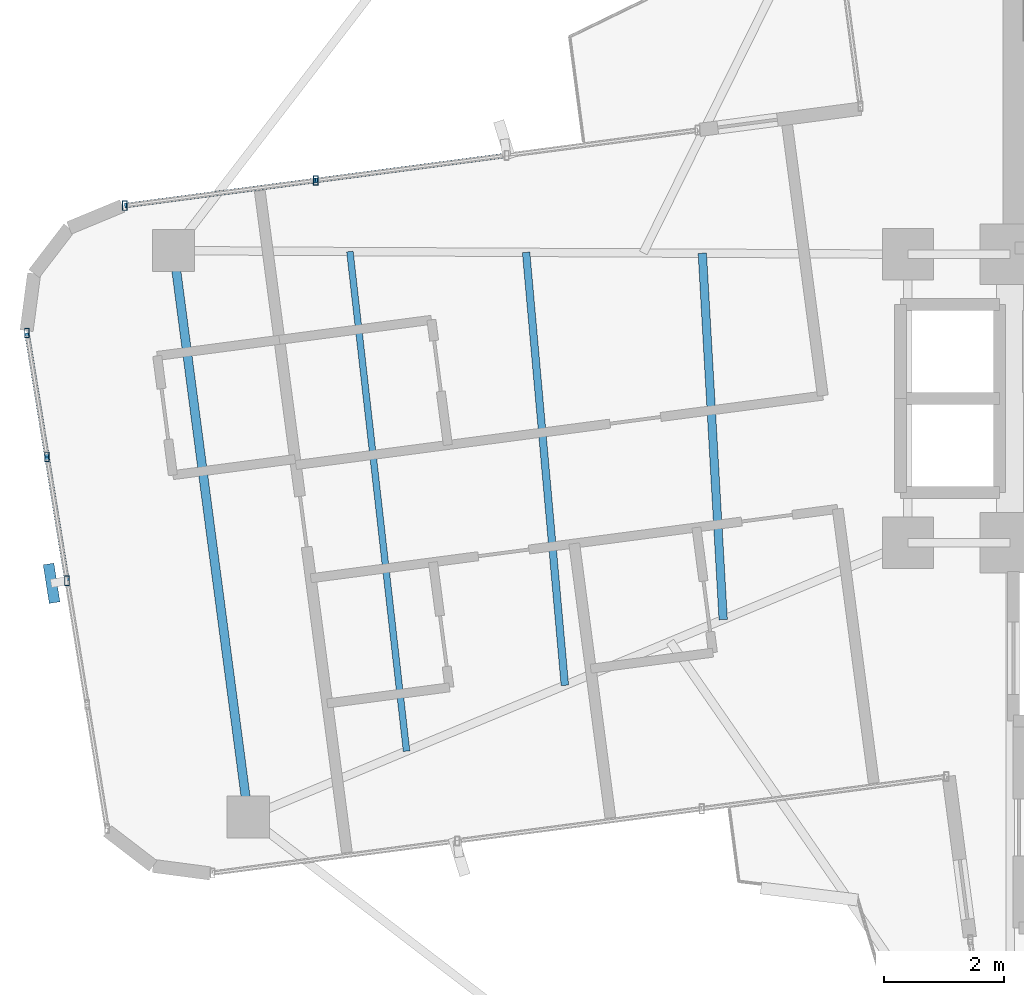
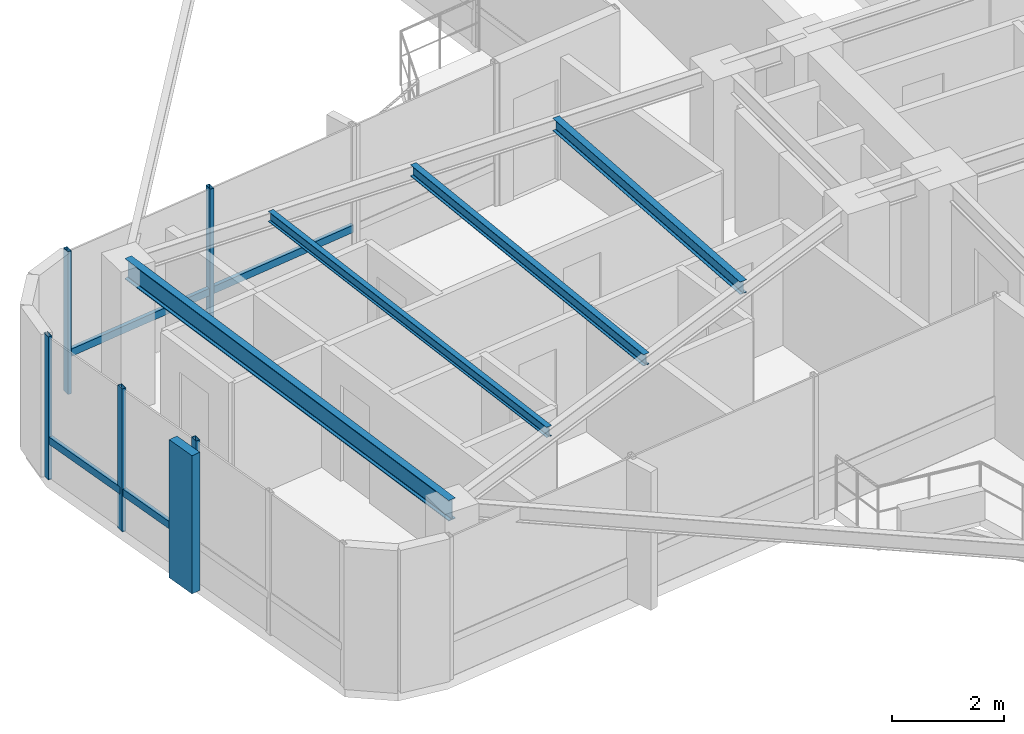
# One storey, part 7 of 22: 10 members, 4 beams, 2 elements without a shape of their own.
"""IFC4 building model written with IfcOpenShell, lengths in metres."""

import ifcopenshell
import ifcopenshell.guid

model = None  # the IFC model being written
_history = None  # IfcOwnerHistory: only IFC2X3 demands one
_inside = {}  # id of a spatial element -> (the spatial element, [elements in it])
_under = {}  # id of a project, library or spatial element -> (it, [spatial elements below it])
_declared = {}  # id of a project -> (the project, [libraries it declares])
_typed = {}  # id of a type object -> (the type object, [elements of that type])
_made_of = {}  # id of a material, layer set ... -> (it, [elements and type objects made of it])


def new_model(schema):
    """Start an empty IFC model of exactly this schema.

    Asked for "IFC4X3", IfcOpenShell would pick the latest addendum, in which some entities
    have other attributes; the version numbers below select the first issue.
    IFC2X3 requires an IfcOwnerHistory on every rooted entity: one is made here for all.
    """
    global model, _history
    if schema == "IFC4X3":
        model = ifcopenshell.file(schema_version=(4, 3, 0, 0))
    else:
        model = ifcopenshell.file(schema=schema)
    _inside.clear()
    _under.clear()
    _declared.clear()
    _typed.clear()
    _made_of.clear()
    _history = None
    if model.schema == "IFC2X3":
        org = make("IfcOrganization", Name="unknown")
        user = make(
            "IfcPersonAndOrganization",
            ThePerson=make("IfcPerson", FamilyName="unknown"),
            TheOrganization=org,
        )
        app = make(
            "IfcApplication",
            ApplicationDeveloper=org,
            Version="unknown",
            ApplicationFullName="unknown",
            ApplicationIdentifier="unknown",
        )
        _history = make(
            "IfcOwnerHistory",
            OwningUser=user,
            OwningApplication=app,
            ChangeAction="ADDED",
            CreationDate=0,
        )
    return model


def make(cls, **values):
    """One entity of the class cls with the attributes given. An attribute that is None is left unset."""
    return model.create_entity(
        cls, **{name: value for name, value in values.items() if value is not None}
    )


def rooted(cls, **values):
    """An entity with a GlobalId (a new one), such as an element, a storey or a relation."""
    return make(cls, GlobalId=ifcopenshell.guid.new(), OwnerHistory=_history, **values)


def si_unit(unit_type, name, prefix=None):
    """IfcSIUnit, for example si_unit("LENGTHUNIT", "METRE", prefix="MILLI")."""
    return make("IfcSIUnit", UnitType=unit_type, Prefix=prefix, Name=name)


def assignment(units):
    """IfcUnitAssignment: the units of a project."""
    return None if units is None else make("IfcUnitAssignment", Units=units)


def point(xyz):
    """IfcCartesianPoint."""
    return None if xyz is None else make("IfcCartesianPoint", Coordinates=xyz)


def direction(xyz):
    """IfcDirection."""
    return None if xyz is None else make("IfcDirection", DirectionRatios=xyz)


def frame(location, z_axis=None, x_axis=None):
    """IfcAxis2Placement3D, a coordinate frame: its origin and axes. An axis left out is left unset."""
    return make(
        "IfcAxis2Placement3D",
        Location=point(location),
        Axis=direction(z_axis),
        RefDirection=direction(x_axis),
    )


def frame_2d(location, x_axis=None):
    """IfcAxis2Placement2D, a coordinate frame in the plane: its origin and x axis."""
    return make(
        "IfcAxis2Placement2D", Location=point(location), RefDirection=direction(x_axis)
    )


def origin():
    """The frame at (0, 0, 0) with its axes left unset."""
    return frame((0.0, 0.0, 0.0))


def origin_2d():
    """The frame at (0, 0) in the plane with its x axis left unset."""
    return frame_2d((0.0, 0.0))


def place(relative_to, where):
    """IfcLocalPlacement: puts the frame where relative to a parent placement (None: the world)."""
    return make(
        "IfcLocalPlacement", PlacementRelTo=relative_to, RelativePlacement=where
    )


def context(
    kind, dimensions, precision=None, world=None, true_north=None, identifier=None
):
    """IfcGeometricRepresentationContext, for example the 3D "Model" context."""
    return make(
        "IfcGeometricRepresentationContext",
        ContextIdentifier=identifier,
        ContextType=kind,
        CoordinateSpaceDimension=dimensions,
        Precision=precision,
        WorldCoordinateSystem=world,
        TrueNorth=true_north,
    )


def subcontext(parent, identifier, kind, view, scale=None):
    """IfcGeometricRepresentationSubContext, for example "Body" below "Model"."""
    return make(
        "IfcGeometricRepresentationSubContext",
        ContextIdentifier=identifier,
        ContextType=kind,
        ParentContext=parent,
        TargetScale=scale,
        TargetView=view,
    )


def project(units=None, contexts=None):
    """IfcProject with its units and contexts."""
    return rooted(
        "IfcProject",
        Name="project",
        RepresentationContexts=contexts,
        UnitsInContext=assignment(units),
    )


def spatial(cls, under=None, at=None, **own):
    """A site, building, storey or space (cls), placed at a placement, below another one or the project."""
    s = rooted(cls, ObjectPlacement=at, **own)
    if under is not None:
        _under.setdefault(under.id(), (under, []))[1].append(s)
    return s


def profile(cls, at=None, kind="AREA", **sizes):
    """A parametric profile (cls). Its sizes go by their IFC names, for example OverallWidth=200.0."""
    return make(cls, ProfileType=kind, Position=at, **sizes)


def rectangle(**sizes):
    """IfcRectangleProfileDef."""
    return profile("IfcRectangleProfileDef", **sizes)


def hollow_rectangle(**sizes):
    """IfcRectangleHollowProfileDef."""
    return profile("IfcRectangleHollowProfileDef", **sizes)


def i_section(**sizes):
    """IfcIShapeProfileDef."""
    return profile("IfcIShapeProfileDef", **sizes)


def extrude(swept, where, along, depth):
    """IfcExtrudedAreaSolid: the profile swept, set in the frame where, extruded along a direction by depth."""
    return make(
        "IfcExtrudedAreaSolid",
        SweptArea=swept,
        Position=where,
        ExtrudedDirection=direction(along),
        Depth=depth,
    )


def shape(context_of_items, identifier, shape_type, items):
    """IfcShapeRepresentation: the items that make up one representation, for example the "Body"."""
    return make(
        "IfcShapeRepresentation",
        ContextOfItems=context_of_items,
        RepresentationIdentifier=identifier,
        RepresentationType=shape_type,
        Items=items,
    )


def source(mapping_origin, context_of_items, identifier, shape_type, items):
    """IfcRepresentationMap: a shape defined once, which mapped items show again and again."""
    return make(
        "IfcRepresentationMap",
        MappingOrigin=mapping_origin,
        MappedRepresentation=shape(context_of_items, identifier, shape_type, items),
    )


def transform(
    local_origin,
    x_axis=None,
    y_axis=None,
    z_axis=None,
    scale=None,
    scale2=None,
    scale3=None,
    uniform=True,
):
    """IfcCartesianTransformationOperator3D, or its non-uniform kind. x_axis, y_axis, z_axis: its Axis1, 2, 3."""
    if uniform:
        return make(
            "IfcCartesianTransformationOperator3D",
            Axis1=direction(x_axis),
            Axis2=direction(y_axis),
            LocalOrigin=point(local_origin),
            Scale=scale,
            Axis3=direction(z_axis),
        )
    return make(
        "IfcCartesianTransformationOperator3DnonUniform",
        Axis1=direction(x_axis),
        Axis2=direction(y_axis),
        LocalOrigin=point(local_origin),
        Scale=scale,
        Axis3=direction(z_axis),
        Scale2=scale2,
        Scale3=scale3,
    )


def mapped(mapping_source, mapping_target):
    """IfcMappedItem: shows the shape of a source again, moved by a transform."""
    return make(
        "IfcMappedItem", MappingSource=mapping_source, MappingTarget=mapping_target
    )


def material(Name=None, Category=None):
    """IfcMaterial."""
    return make("IfcMaterial", Name=Name, Category=Category)


def material_profile(
    of_material, cross_section, Name=None, Category=None, Priority=None
):
    """IfcMaterialProfile: a cross section and its material."""
    return make(
        "IfcMaterialProfile",
        Name=Name,
        Material=of_material,
        Profile=cross_section,
        Priority=Priority,
        Category=Category,
    )


def profile_set(profiles, Name=None, composite=None):
    """IfcMaterialProfileSet."""
    return make(
        "IfcMaterialProfileSet",
        Name=Name,
        MaterialProfiles=profiles,
        CompositeProfile=composite,
    )


def made_of(thing, what):
    """Note that an element or type object is made of a material, layer set ...; save() writes the relation."""
    if what is not None:
        _made_of.setdefault(what.id(), (what, []))[1].append(thing)
    return thing


def type_object(cls, material=None, **own):
    """A type object (cls), such as IfcWallType, which elements share."""
    return made_of(rooted(cls, **own), material)


def element(
    cls,
    number,
    at=None,
    inside=None,
    cuts=None,
    type_object=None,
    material=None,
    context=None,
    identifier="Body",
    shape_type=None,
    held_by="IfcProductDefinitionShape",
    body=None,
    shapes=None,
    **own,
):
    """One element of the class cls, such as IfcWall. Its Tag is "e" and its number.

    at: its placement. inside: the storey or other place that contains it. cuts: it is an
    opening in that element (IfcRelVoidsElement). A single representation is given by context,
    identifier, shape_type and body (its items); several are given by shapes. held_by: the class
    of the entity that holds the representations. save() writes the other relations.
    """
    e = rooted(cls, Tag="e%d" % number, ObjectPlacement=at, **own)
    if body is not None:
        shapes = [shape(context, identifier, shape_type, body)]
    if shapes is not None:
        e.Representation = make(held_by, Representations=shapes)
    if inside is not None:
        _inside.setdefault(inside.id(), (inside, []))[1].append(e)
    if cuts is not None:
        rooted(
            "IfcRelVoidsElement", RelatingBuildingElement=cuts, RelatedOpeningElement=e
        )
    if type_object is not None:
        _typed.setdefault(type_object.id(), (type_object, []))[1].append(e)
    return made_of(e, material)


def aggregate(whole, parts):
    """IfcRelAggregates: a whole, such as a stair, and the parts it consists of."""
    return rooted("IfcRelAggregates", RelatingObject=whole, RelatedObjects=parts)


def save(model, path):
    """Write the relations noted so far, then the file.

    IfcRelAggregates (storeys below a building ...), IfcRelContainedInSpatialStructure (elements
    in a storey), IfcRelDefinesByType, IfcRelAssociatesMaterial and IfcRelDeclares: one each for
    every whole, place, type object, material and project.
    """
    for whole, parts in _under.values():
        aggregate(whole, parts)
    for where, things in _inside.values():
        rooted(
            "IfcRelContainedInSpatialStructure",
            RelatedElements=things,
            RelatingStructure=where,
        )
    for kind, things in _typed.values():
        rooted("IfcRelDefinesByType", RelatedObjects=things, RelatingType=kind)
    for what, things in _made_of.values():
        rooted("IfcRelAssociatesMaterial", RelatedObjects=things, RelatingMaterial=what)
    for by, libraries in _declared.values():
        rooted("IfcRelDeclares", RelatingContext=by, RelatedDefinitions=libraries)
    model.write(path)


model = new_model("IFC4")

# Units and contexts
model_context = context("Model", 3, precision=1e-05, world=origin(), true_north=direction((0.0, 1.0)))
body_context = subcontext(model_context, "Body", "Model", "MODEL_VIEW")
ifc_project = project(units=[si_unit("LENGTHUNIT", "METRE"), si_unit("AREAUNIT", "SQUARE_METRE"), si_unit("VOLUMEUNIT", "CUBIC_METRE"), si_unit("PLANEANGLEUNIT", "RADIAN"), si_unit("MASSUNIT", "GRAM", prefix="KILO")], contexts=[model_context])

# Site, building, storey
site_placement = place(None, origin())
site = spatial("IfcSite", under=ifc_project, at=site_placement, CompositionType="ELEMENT")
building_placement = place(site_placement, origin())
building = spatial("IfcBuilding", under=site, at=building_placement, Name="Sahyath Konkavel Grand Hotel", CompositionType="ELEMENT")
storey_placement = place(building_placement, frame((0.0, 0.0, 257.89990234375)))
storey = spatial("IfcBuildingStorey", under=building, at=storey_placement, Name="L72", CompositionType="ELEMENT", Elevation=257.89990234375)

# Beams
ifc_material_1 = material(Name="Steel E350", Category="steel")
ifc_material_profile_1 = material_profile(ifc_material_1, i_section(OverallWidth=0.14990234375, OverallDepth=0.449951171875, WebThickness=0.009521484375, FlangeThickness=0.017333984375, FilletRadius=0.014892578125, at=origin_2d()), Name="ISMB 450")
ifc_profile_set_1 = profile_set([ifc_material_profile_1], Name="Steel E350")
beam_type_1 = type_object("IfcBeamType", Name="BM-ISMB450", PredefinedType="BEAM", material=ifc_profile_set_1)
shared_shape_1 = source(origin(), body_context, "Body", "SweptSolid", [
    extrude(i_section(OverallWidth=0.14990234375, OverallDepth=0.449951171875, WebThickness=0.009521484375, FlangeThickness=0.017333984375, FilletRadius=0.014892578125, at=origin_2d()), origin(), (0.0, 0.0, 1.0), 9.5),
])
beam_1_placement = place(storey_placement, frame((-17.71240234375, 2.458984375, 2.885009765625), z_axis=(0.130525643939, -0.991444933556, 0.0), x_axis=(0.991444933556, 0.130525643939, 0.0)))
element("IfcBeam", 1, at=beam_1_placement, inside=storey, type_object=beam_type_1, Name="L72 Wing Tip Edge Beam W", PredefinedType="BEAM", context=body_context, shape_type="MappedRepresentation", body=[
    mapped(shared_shape_1, transform((0.0, 0.0, 0.0), scale=1.0)),
])
ifc_material_profile_2 = material_profile(ifc_material_1, i_section(OverallWidth=0.139892578125, OverallDepth=0.27490234375, WebThickness=0.00634765625, FlangeThickness=0.0087890625, FilletRadius=0.012939453125, at=origin_2d()), Name="ISLB 275")
ifc_profile_set_2 = profile_set([ifc_material_profile_2], Name="Steel E350")
beam_type_2 = type_object("IfcBeamType", Name="BM-ISLB275", PredefinedType="BEAM", material=ifc_profile_set_2)
shared_shape_2 = source(origin(), body_context, "Body", "SweptSolid", [
    extrude(i_section(OverallWidth=0.139892578125, OverallDepth=0.27490234375, WebThickness=0.00634765625, FlangeThickness=0.0087890625, FilletRadius=0.012939453125, at=origin_2d()), origin(), (0.0, 0.0, 1.0), 6.10302734375),
])
beam_2_placement = place(storey_placement, frame((-8.91943359375, 2.41650390625, 2.97265625), z_axis=(0.056883465537, -0.99838082481, 0.0), x_axis=(0.99838082481, 0.056883465537, 0.0)))
element("IfcBeam", 2, at=beam_2_placement, inside=storey, type_object=beam_type_2, Name="L72 Secondary Floor Beam W-1", PredefinedType="BEAM", context=body_context, shape_type="MappedRepresentation", body=[
    mapped(shared_shape_2, transform((0.0, 0.0, 0.0), scale=1.0)),
])
ifc_material_profile_3 = material_profile(ifc_material_1, i_section(OverallWidth=0.125, OverallDepth=0.25, WebThickness=0.0068359375, FlangeThickness=0.012451171875, FilletRadius=0.012939453125, at=origin_2d()), Name="ISMB 250")
ifc_profile_set_3 = profile_set([ifc_material_profile_3], Name="Steel E350")
beam_type_3 = type_object("IfcBeamType", Name="BM-ISMB250", PredefinedType="BEAM", material=ifc_profile_set_3)
shared_shape_3 = source(origin(), body_context, "Body", "SweptSolid", [
    extrude(i_section(OverallWidth=0.125, OverallDepth=0.25, WebThickness=0.0068359375, FlangeThickness=0.012451171875, FilletRadius=0.012939453125, at=origin_2d()), origin(), (0.0, 0.0, 1.0), 7.23046875),
])
beam_3_placement = place(storey_placement, frame((-11.8505859375, 2.4306640625, 2.985107421875), z_axis=(0.089174799421, -0.996015991412, 0.0), x_axis=(0.996015991412, 0.089174799421, 0.0)))
element("IfcBeam", 3, at=beam_3_placement, inside=storey, type_object=beam_type_3, Name="L72 Secondary Floor Beam W-2", PredefinedType="BEAM", context=body_context, shape_type="MappedRepresentation", body=[
    mapped(shared_shape_3, transform((0.0, 0.0, 0.0), scale=1.0)),
])
ifc_material_profile_4 = material_profile(ifc_material_1, i_section(OverallWidth=0.110107421875, OverallDepth=0.22509765625, WebThickness=0.006591796875, FlangeThickness=0.01171875, FilletRadius=0.011962890625, at=origin_2d()), Name="ISMB 225")
ifc_profile_set_4 = profile_set([ifc_material_profile_4], Name="Steel E350")
beam_type_4 = type_object("IfcBeamType", Name="BM-ISMB225", PredefinedType="BEAM", material=ifc_profile_set_4)
shared_shape_4 = source(origin(), body_context, "Body", "SweptSolid", [
    extrude(i_section(OverallWidth=0.110107421875, OverallDepth=0.22509765625, WebThickness=0.006591796875, FlangeThickness=0.01171875, FilletRadius=0.011962890625, at=origin_2d()), origin(), (0.0, 0.0, 1.0), 8.36328125),
])
beam_4_placement = place(storey_placement, frame((-14.781494140625, 2.44482421875, 2.99755859375), z_axis=(0.112680437677, -0.99363127918, 0.0), x_axis=(0.99363127918, 0.112680437677, 0.0)))
element("IfcBeam", 4, at=beam_4_placement, inside=storey, type_object=beam_type_4, Name="L72 Secondary Floor Beam W-3", PredefinedType="BEAM", context=body_context, shape_type="MappedRepresentation", body=[
    mapped(shared_shape_4, transform((0.0, 0.0, 0.0), scale=1.0)),
])

# Curtain wall, member
ifc_material_2 = material(Name="Anodised Bronze Aluminium & Low-E Glazing", Category="aluminium")
curtain_wall_type = type_object("IfcCurtainWallType", Name="CW-ZONE4", PredefinedType="NOTDEFINED", material=ifc_material_2)
curtain_wall_1_placement = place(storey_placement, origin())
curtain_wall_1 = element("IfcCurtainWall", 5, at=curtain_wall_1_placement, inside=storey, type_object=curtain_wall_type, Name="L72 Unitised Curtain Wall F20", PredefinedType="NOTDEFINED")
ifc_material_3 = material(Name="Warm Buff Sandstone Cladding on Concrete C50/60", Category="masonry")
ifc_material_profile_5 = material_profile(ifc_material_3, rectangle(XDim=0.179931640625, YDim=0.64990234375, at=origin_2d()), Name="FIN 180x650")
ifc_profile_set_5 = profile_set([ifc_material_profile_5], Name="Warm Buff Sandstone Cladding on Concrete C50/60")
member_type_1 = type_object("IfcMemberType", Name="FIN-SANDSTONE-650", PredefinedType="MULLION", material=ifc_profile_set_5)
shared_shape_5 = source(origin(), body_context, "Body", "SweptSolid", [
    extrude(rectangle(XDim=0.179931640625, YDim=0.64990234375, at=origin_2d()), origin(), (0.0, 0.0, 1.0), 3.010009765625),
])
member_1_placement = place(storey_placement, frame((-19.74365234375, -3.073486328125, 0.050048828125), z_axis=(0.0, 0.0, 1.0), x_axis=(0.987905801468, 0.155055239918, 0.0)))
member_1 = element("IfcMember", 6, at=member_1_placement, type_object=member_type_1, Name="L72 Sandstone Vertical Solar Fin FIN F20-2", PredefinedType="MULLION", context=body_context, shape_type="MappedRepresentation", body=[
    mapped(shared_shape_5, transform((0.0, 0.0, 0.0), scale=1.0)),
])

# Curtain wall, members
curtain_wall_2_placement = place(storey_placement, origin())
curtain_wall_2 = element("IfcCurtainWall", 7, at=curtain_wall_2_placement, inside=storey, type_object=curtain_wall_type, Name="L72 Unitised Curtain Wall F16", PredefinedType="NOTDEFINED")
ifc_material_4 = material(Name="Anodised Bronze Aluminium", Category="aluminium")
ifc_material_profile_6 = material_profile(ifc_material_4, hollow_rectangle(XDim=0.080078125, YDim=0.159912109375, WallThickness=0.006103515625, at=origin_2d()), Name="RHS 160x80x6")
ifc_profile_set_6 = profile_set([ifc_material_profile_6], Name="Anodised Bronze Aluminium")
member_type_2 = type_object("IfcMemberType", Name="CW-MUL-160", PredefinedType="MULLION", material=ifc_profile_set_6)
shared_shape_6 = source(origin(), body_context, "Body", "SweptSolid", [
    extrude(hollow_rectangle(XDim=0.080078125, YDim=0.159912109375, WallThickness=0.006103515625, at=origin_2d()), origin(), (0.0, 0.0, 1.0), 3.110107421875),
])
member_2_placement = place(storey_placement, frame((-15.351318359375, 3.627197265625, 0.0), z_axis=(0.0, 0.0, 1.0), x_axis=(1.0, 0.0, 0.0)))
member_2 = element("IfcMember", 8, at=member_2_placement, type_object=member_type_2, Name="L72 Curtain Wall Mullion F16-2", PredefinedType="MULLION", context=body_context, shape_type="MappedRepresentation", body=[
    mapped(shared_shape_6, transform((0.0, 0.0, 0.0), scale=1.0)),
])
member_3_placement = place(storey_placement, frame((-18.52734375, 3.208984375, 0.0), z_axis=(0.0, 0.0, 1.0), x_axis=(1.0, 0.0, 0.0)))
member_3 = element("IfcMember", 9, at=member_3_placement, type_object=member_type_2, Name="L72 Curtain Wall Mullion F16-3", PredefinedType="MULLION", context=body_context, shape_type="MappedRepresentation", body=[
    mapped(shared_shape_6, transform((0.0, 0.0, 0.0), scale=1.0)),
])

# Member
member_4_placement = place(storey_placement, frame((-20.1533203125, 1.0888671875, 0.0), z_axis=(0.0, 0.0, 1.0), x_axis=(1.0, 0.0, 0.0)))
member_4 = element("IfcMember", 10, at=member_4_placement, type_object=member_type_2, Name="L72 Curtain Wall Mullion F20-0", PredefinedType="MULLION", context=body_context, shape_type="MappedRepresentation", body=[
    mapped(shared_shape_6, transform((0.0, 0.0, 0.0), scale=1.0)),
])

member_5_placement = place(storey_placement, frame((-19.8203125, -0.9716796875, 0.0), z_axis=(0.0, 0.0, 1.0), x_axis=(1.0, 0.0, 0.0)))
member_5 = element("IfcMember", 11, at=member_5_placement, type_object=member_type_2, Name="L72 Curtain Wall Mullion F20-1", PredefinedType="MULLION", context=body_context, shape_type="MappedRepresentation", body=[
    mapped(shared_shape_6, transform((0.0, 0.0, 0.0), scale=1.0)),
])

member_6_placement = place(storey_placement, frame((-19.487060546875, -3.031982421875, 0.0), z_axis=(0.0, 0.0, 1.0), x_axis=(1.0, 0.0, 0.0)))
member_6 = element("IfcMember", 12, at=member_6_placement, type_object=member_type_2, Name="L72 Curtain Wall Mullion F20-2", PredefinedType="MULLION", context=body_context, shape_type="MappedRepresentation", body=[
    mapped(shared_shape_6, transform((0.0, 0.0, 0.0), scale=1.0)),
])

ifc_material_profile_7 = material_profile(ifc_material_4, hollow_rectangle(XDim=0.080078125, YDim=0.159912109375, WallThickness=0.006103515625, at=origin_2d()), Name="RHS 160x80x6")
ifc_profile_set_7 = profile_set([ifc_material_profile_7], Name="Anodised Bronze Aluminium")
member_type_3 = type_object("IfcMemberType", Name="CW-TRN-160", PredefinedType="USERDEFINED", material=ifc_profile_set_7)
shared_shape_7 = source(origin(), body_context, "Body", "SweptSolid", [
    extrude(hollow_rectangle(XDim=0.080078125, YDim=0.159912109375, WallThickness=0.006103515625, at=origin_2d()), origin(), (0.0, 0.0, 1.0), 3.203369140625),
])
member_7_placement = place(storey_placement, frame((-15.351318359375, 3.627197265625, 0.85009765625), z_axis=(-0.991441580194, -0.130551112835, 0.0), x_axis=(0.130551112835, -0.991441580194, 0.0)))
member_7 = element("IfcMember", 13, at=member_7_placement, type_object=member_type_3, Name="L72 Curtain Wall Transom F16-2-spandrel", ObjectType="TRANSOM", PredefinedType="USERDEFINED", context=body_context, shape_type="MappedRepresentation", body=[
    mapped(shared_shape_7, transform((0.0, 0.0, 0.0), scale=1.0)),
])

shared_shape_8 = source(origin(), body_context, "Body", "SweptSolid", [
    extrude(hollow_rectangle(XDim=0.080078125, YDim=0.159912109375, WallThickness=0.006103515625, at=origin_2d()), origin(), (0.0, 0.0, 1.0), 3.203125),
])
member_8_placement = place(storey_placement, frame((-12.175537109375, 4.04541015625, 0.85009765625), z_axis=(-0.991440281121, -0.13056097798, 0.0), x_axis=(0.13056097798, -0.991440281121, 0.0)))
member_8 = element("IfcMember", 14, at=member_8_placement, type_object=member_type_3, Name="L72 Curtain Wall Transom F16-1-spandrel", ObjectType="TRANSOM", PredefinedType="USERDEFINED", context=body_context, shape_type="MappedRepresentation", body=[
    mapped(shared_shape_8, transform((0.0, 0.0, 0.0), scale=1.0)),
])

aggregate(curtain_wall_2, [member_2, member_3, member_8, member_7])

shared_shape_9 = source(origin(), body_context, "Body", "SweptSolid", [
    extrude(hollow_rectangle(XDim=0.080078125, YDim=0.159912109375, WallThickness=0.006103515625, at=origin_2d()), origin(), (0.0, 0.0, 1.0), 2.08740234375),
])
member_9_placement = place(storey_placement, frame((-20.1533203125, 1.0888671875, 0.85009765625), z_axis=(0.159541334591, -0.98719124923, 0.0), x_axis=(0.98719124923, 0.159541334591, 0.0)))
member_9 = element("IfcMember", 15, at=member_9_placement, type_object=member_type_3, Name="L72 Curtain Wall Transom F20-0-spandrel", ObjectType="TRANSOM", PredefinedType="USERDEFINED", context=body_context, shape_type="MappedRepresentation", body=[
    mapped(shared_shape_9, transform((0.0, 0.0, 0.0), scale=1.0)),
])

shared_shape_10 = source(origin(), body_context, "Body", "SweptSolid", [
    extrude(hollow_rectangle(XDim=0.080078125, YDim=0.159912109375, WallThickness=0.006103515625, at=origin_2d()), origin(), (0.0, 0.0, 1.0), 2.087158203125),
])
member_10_placement = place(storey_placement, frame((-19.8203125, -0.9716796875, 0.85009765625), z_axis=(0.159673756436, -0.98716983924, 0.0), x_axis=(0.98716983924, 0.159673756436, 0.0)))
member_10 = element("IfcMember", 16, at=member_10_placement, type_object=member_type_3, Name="L72 Curtain Wall Transom F20-1-spandrel", ObjectType="TRANSOM", PredefinedType="USERDEFINED", context=body_context, shape_type="MappedRepresentation", body=[
    mapped(shared_shape_10, transform((0.0, 0.0, 0.0), scale=1.0)),
])

aggregate(curtain_wall_1, [member_4, member_5, member_6, member_1, member_9, member_10])

save(model, "model.ifc")
